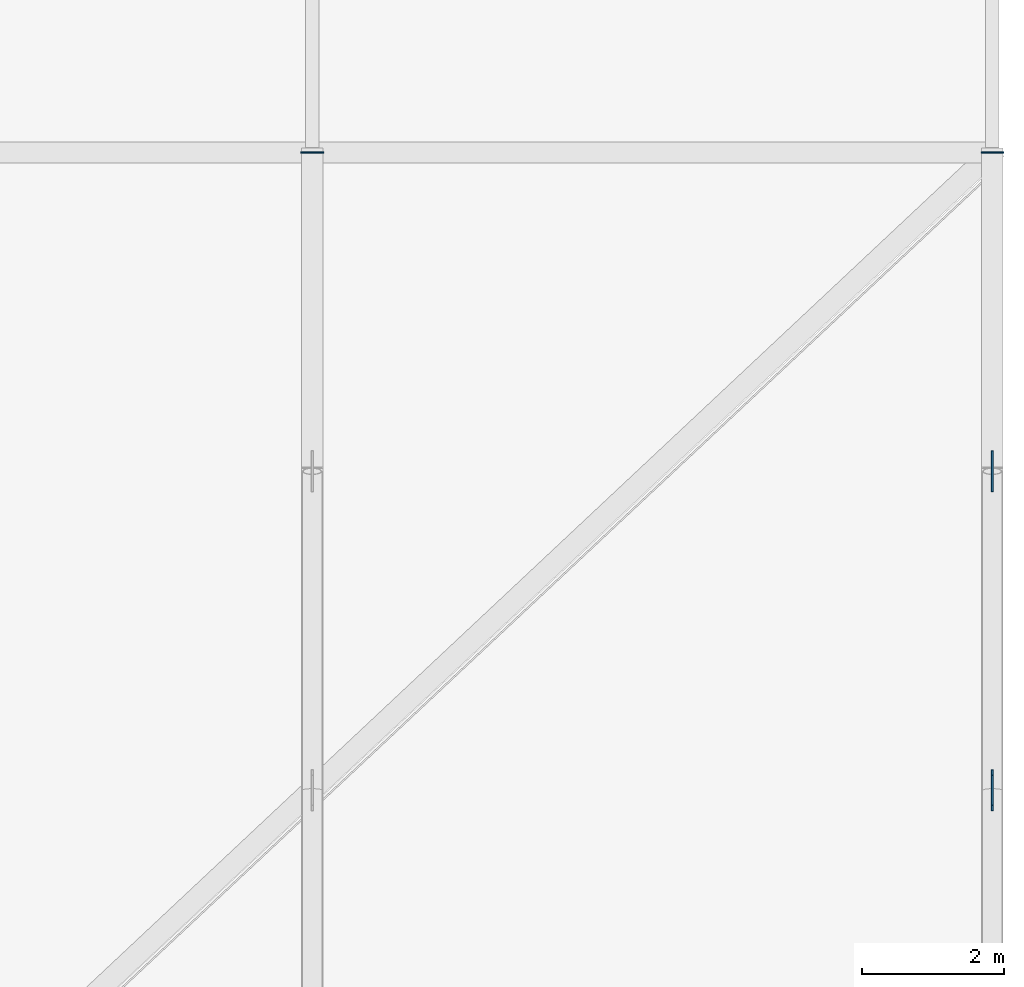
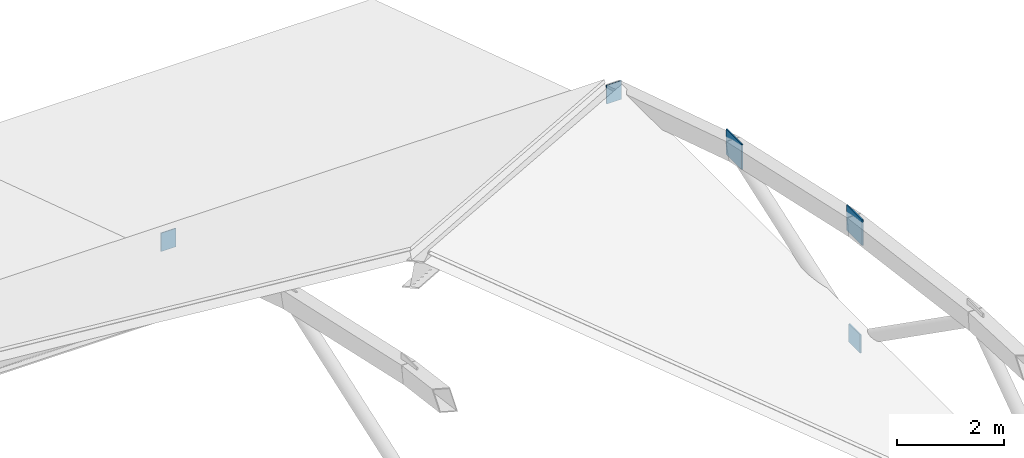
# One storey, part 14 of 16: 5 plates.
"""IFC4 building model written with IfcOpenShell, lengths in metres."""

from ifc_helpers import new_model, si_unit, direction, frame, origin, origin_2d, place, context, subcontext, project, spatial, rectangle, extrude, material, layer, layer_set, type_object, element, save


model = new_model("IFC4")

# Units and contexts
model_context = context("Model", 3, precision=1e-05, world=origin(), true_north=direction((0.0, 1.0)))
body_context = subcontext(model_context, "Body", "Model", "MODEL_VIEW")
ifc_project = project(units=[si_unit("LENGTHUNIT", "METRE"), si_unit("AREAUNIT", "SQUARE_METRE"), si_unit("VOLUMEUNIT", "CUBIC_METRE"), si_unit("PLANEANGLEUNIT", "RADIAN"), si_unit("MASSUNIT", "GRAM", prefix="KILO")], contexts=[model_context])

# Site, building, storey
site_placement = place(None, origin())
site = spatial("IfcSite", under=ifc_project, at=site_placement, CompositionType="ELEMENT")
building_placement = place(site_placement, origin())
building = spatial("IfcBuilding", under=site, at=building_placement, Name="Zarnetskaya Central Station", CompositionType="ELEMENT")
storey_placement = place(building_placement, frame((0.0, 0.0, 27.0)))
storey = spatial("IfcBuildingStorey", under=building, at=storey_placement, Name="RF", CompositionType="ELEMENT", Elevation=27.0)

# Plates
ifc_material = material(Name="Steel S355", Category="steel")
ifc_layer_1 = layer(ifc_material, 0.02001953125, Name="Steel S355", Category="steel")
ifc_layer_set_1 = layer_set([ifc_layer_1], Name="Steel S355")
plate_type_1 = type_object("IfcPlateType", Name="ND-ENDCAP-20", PredefinedType="SHEET", material=ifc_layer_set_1)
for number, where, z_axis, x_axis, name in (
    (1, (115.199951171875, 58.199951171875, -13.10986328125), (0.0, 0.0, 1.0), (1.0, 0.0, 0.0), "ROOF TRUSS RT-07 end cap plate 2"),
    (2, (124.800048828125, 58.199951171875, -13.10986328125), (0.0, 0.0, 1.0), (1.0, 0.0, 0.0), "ROOF TRUSS RT-08 end cap plate 2"),
):
    element("IfcPlate", number, at=place(storey_placement, frame(where, z_axis=z_axis, x_axis=x_axis)), inside=storey, type_object=plate_type_1, Name=name, PredefinedType="SHEET", context=body_context, shape_type="SweptSolid", body=[
        extrude(rectangle(XDim=0.320068359375, YDim=0.02001953125, at=origin_2d()), origin(), (0.0, 0.0, 1.0), 0.419921875),
    ])
ifc_layer_2 = layer(ifc_material, 0.028076171875, Name="Steel S355", Category="steel")
ifc_layer_set_2 = layer_set([ifc_layer_2], Name="Steel S355")
plate_type_2 = type_object("IfcPlateType", Name="ND-GUSSET-28", PredefinedType="USERDEFINED", material=ifc_layer_set_2)
for number, where, z_axis, x_axis, name in (
    (3, (124.800048828125, 49.199951171875, -10.760009765625), (0.0, 0.0, 1.0), (1.0, 0.0, 0.0), "ROOF TRUSS RT-08 gusset node plate 6"),
    (4, (124.800048828125, 53.699951171875, -11.75830078125), (0.0, 0.0, 1.0), (1.0, 0.0, 0.0), "ROOF TRUSS RT-08 gusset node plate 7"),
):
    element("IfcPlate", number, at=place(storey_placement, frame(where, z_axis=z_axis, x_axis=x_axis)), inside=storey, type_object=plate_type_2, Name=name, ObjectType="GUSSET PLATE", PredefinedType="USERDEFINED", context=body_context, shape_type="SweptSolid", body=[
        extrude(rectangle(XDim=0.028076171875, YDim=0.580078125, at=origin_2d()), origin(), (0.0, 0.0, 1.0), 0.580078125),
    ])
plate_placement = place(storey_placement, frame((124.800048828125, 49.199951171875, -13.260009765625), z_axis=(0.0, 0.0, 1.0), x_axis=(1.0, 0.0, 0.0)))
element("IfcPlate", 5, at=plate_placement, inside=storey, type_object=plate_type_2, Name="Structural member end gusset plate 024", ObjectType="GUSSET PLATE", PredefinedType="USERDEFINED", context=body_context, shape_type="SweptSolid", body=[
    extrude(rectangle(XDim=0.028076171875, YDim=0.419921875, at=origin_2d()), origin(), (0.0, 0.0, 1.0), 0.419921875),
])

save(model, "model.ifc")
